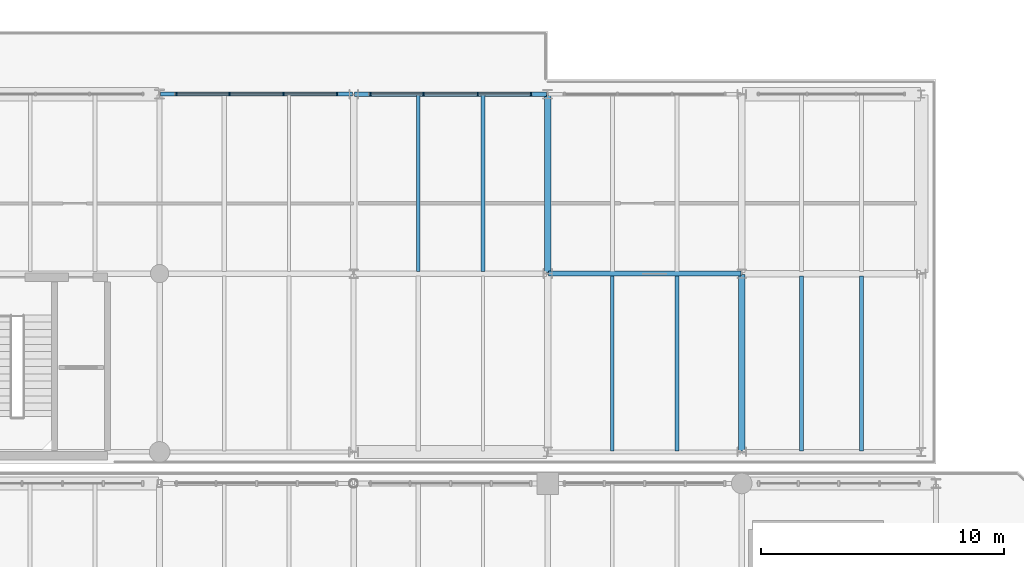
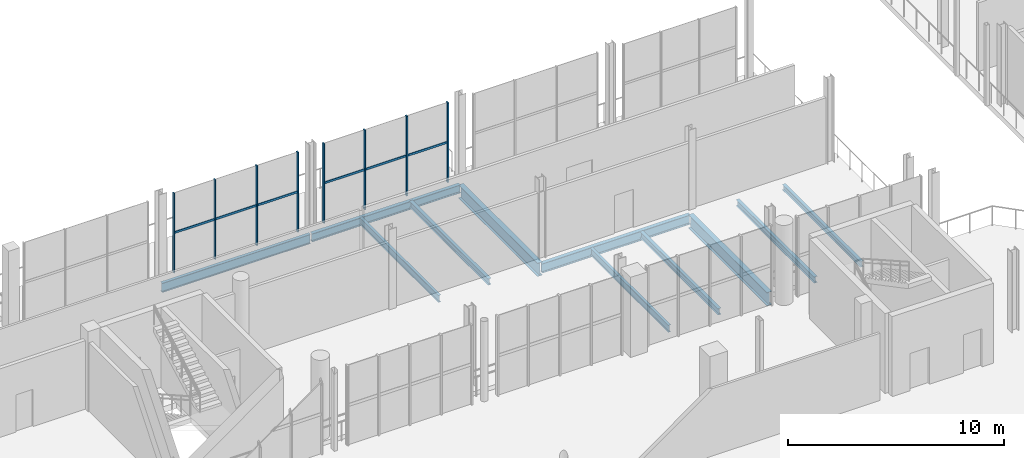
# One storey, part 50 of 93: 14 members, 11 beams, 2 elements without a shape of their own.
"""IFC4 building model written with IfcOpenShell, lengths in metres."""

from ifc_helpers import new_model, si_unit, direction, frame, origin, origin_2d, place, context, subcontext, project, spatial, rectangle, i_section, extrude, material, material_profile, profile_set, type_object, element, aggregate, save


model = new_model("IFC4")

# Units and contexts
model_context = context("Model", 3, precision=1e-05, world=origin(), true_north=direction((0.0, 1.0)))
body_context = subcontext(model_context, "Body", "Model", "MODEL_VIEW")
ifc_project = project(units=[si_unit("LENGTHUNIT", "METRE"), si_unit("AREAUNIT", "SQUARE_METRE"), si_unit("VOLUMEUNIT", "CUBIC_METRE"), si_unit("PLANEANGLEUNIT", "RADIAN"), si_unit("MASSUNIT", "GRAM", prefix="KILO")], contexts=[model_context])

# Site, building, storey
site_placement = place(None, origin())
site = spatial("IfcSite", under=ifc_project, at=site_placement, CompositionType="ELEMENT")
building_placement = place(site_placement, origin())
building = spatial("IfcBuilding", under=site, at=building_placement, Name="Brisemont Oceanarium", CompositionType="ELEMENT")
storey_placement = place(building_placement, frame((0.0, 0.0, 5.39990234375)))
storey = spatial("IfcBuildingStorey", under=building, at=storey_placement, Name="L01", CompositionType="ELEMENT", Elevation=5.39990234375)

# Beams
ifc_material_1 = material(Name="Structural Steel ASTM A992 Gr.50", Category="steel")
ifc_material_profile_1 = material_profile(ifc_material_1, i_section(OverallWidth=0.1650390625, OverallDepth=0.31005859375, WebThickness=0.005859375, FlangeThickness=0.009765625, FilletRadius=0.008056640625, at=origin_2d()), Name="W12X26")
ifc_profile_set_1 = profile_set([ifc_material_profile_1], Name="Structural Steel ASTM A992 Gr.50")
beam_type_1 = type_object("IfcBeamType", Name="BM-W12X26", PredefinedType="JOIST", material=ifc_profile_set_1)
beam_1_placement = place(storey_placement, frame((100.933349609375, 80.68994140625, -0.494873046875), z_axis=(0.0, 1.0, 0.0), x_axis=(-1.0, 0.0, 0.0)))
element("IfcBeam", 1, at=beam_1_placement, inside=storey, type_object=beam_type_1, Name="V7E L01 secondary floor beam", PredefinedType="JOIST", context=body_context, shape_type="SweptSolid", body=[
    extrude(i_section(OverallWidth=0.1650390625, OverallDepth=0.31005859375, WebThickness=0.005859375, FlangeThickness=0.009765625, FilletRadius=0.008056640625, at=origin_2d()), origin(), (0.0, 0.0, 1.0), 7.219970703125),
])
ifc_material_2 = material(Name="Structural Steel ASTM A992 Gr.50", Category="steel")
ifc_material_profile_2 = material_profile(ifc_material_2, i_section(OverallWidth=0.1708984375, OverallDepth=0.35107421875, WebThickness=0.0068359375, FlangeThickness=0.009765625, FilletRadius=0.010009765625, at=origin_2d()), Name="W14X30")
ifc_profile_set_2 = profile_set([ifc_material_profile_2], Name="Structural Steel ASTM A992 Gr.50")
beam_type_2 = type_object("IfcBeamType", Name="BM-W14X30", PredefinedType="JOIST", material=ifc_profile_set_2)
beam_2_placement = place(storey_placement, frame((85.333251953125, 88.090087890625, -0.515380859375), z_axis=(0.0, 1.0, 0.0), x_axis=(-1.0, 0.0, 0.0)))
element("IfcBeam", 2, at=beam_2_placement, inside=storey, type_object=beam_type_2, Name="V7E L01 secondary floor beam", PredefinedType="JOIST", context=body_context, shape_type="SweptSolid", body=[
    extrude(i_section(OverallWidth=0.1708984375, OverallDepth=0.35107421875, WebThickness=0.0068359375, FlangeThickness=0.009765625, FilletRadius=0.010009765625, at=origin_2d()), origin(), (0.0, 0.0, 1.0), 7.27001953125),
])
for number, where, z_axis, x_axis, name in (
    (3, (93.333251953125, 80.68994140625, -0.515380859375), (0.0, 1.0, 0.0), (-1.0, 0.0, 0.0), "V7E L01 secondary floor beam"),
    (4, (98.466796875, 80.68994140625, -0.515380859375), (0.0, 1.0, 0.0), (-1.0, 0.0, 0.0), "V7E L01 secondary floor beam"),
):
    element("IfcBeam", number, at=place(storey_placement, frame(where, z_axis=z_axis, x_axis=x_axis)), inside=storey, type_object=beam_type_2, Name=name, PredefinedType="JOIST", context=body_context, shape_type="SweptSolid", body=[
        extrude(i_section(OverallWidth=0.1708984375, OverallDepth=0.35107421875, WebThickness=0.0068359375, FlangeThickness=0.009765625, FilletRadius=0.010009765625, at=origin_2d()), origin(), (0.0, 0.0, 1.0), 7.219970703125),
    ])
ifc_material_3 = material(Name="Structural Steel ASTM A992 Gr.50", Category="steel")
ifc_material_profile_3 = material_profile(ifc_material_3, i_section(OverallWidth=0.139892578125, OverallDepth=0.39892578125, WebThickness=0.00634765625, FlangeThickness=0.0087890625, FilletRadius=0.010009765625, at=origin_2d()), Name="W16X26")
ifc_profile_set_3 = profile_set([ifc_material_profile_3], Name="Structural Steel ASTM A992 Gr.50")
beam_type_3 = type_object("IfcBeamType", Name="BM-W16X26", PredefinedType="JOIST", material=ifc_profile_set_3)
beam_3_placement = place(storey_placement, frame((82.666748046875, 88.090087890625, -0.539306640625), z_axis=(0.0, 1.0, 0.0), x_axis=(-1.0, 0.0, 0.0)))
element("IfcBeam", 5, at=beam_3_placement, inside=storey, type_object=beam_type_3, Name="V7E L01 secondary floor beam", PredefinedType="JOIST", context=body_context, shape_type="SweptSolid", body=[
    extrude(i_section(OverallWidth=0.139892578125, OverallDepth=0.39892578125, WebThickness=0.00634765625, FlangeThickness=0.0087890625, FilletRadius=0.010009765625, at=origin_2d()), origin(), (0.0, 0.0, 1.0), 7.27001953125),
])
beam_4_placement = place(storey_placement, frame((90.666748046875, 80.68994140625, -0.539306640625), z_axis=(0.0, 1.0, 0.0), x_axis=(-1.0, 0.0, 0.0)))
element("IfcBeam", 6, at=beam_4_placement, inside=storey, type_object=beam_type_3, Name="V7E L01 secondary floor beam", PredefinedType="JOIST", context=body_context, shape_type="SweptSolid", body=[
    extrude(i_section(OverallWidth=0.139892578125, OverallDepth=0.39892578125, WebThickness=0.00634765625, FlangeThickness=0.0087890625, FilletRadius=0.010009765625, at=origin_2d()), origin(), (0.0, 0.0, 1.0), 7.219970703125),
])
ifc_material_4 = material(Name="Structural Steel ASTM A992 Gr.50", Category="steel")
ifc_material_profile_4 = material_profile(ifc_material_4, i_section(OverallWidth=0.19091796875, OverallDepth=0.4599609375, WebThickness=0.010009765625, FlangeThickness=0.01611328125, FilletRadius=0.010986328125, at=origin_2d()), Name="W18X55")
ifc_profile_set_4 = profile_set([ifc_material_profile_4], Name="Structural Steel ASTM A992 Gr.50")
beam_type_4 = type_object("IfcBeamType", Name="BM-W18X55", PredefinedType="SPANDREL", material=ifc_profile_set_4)
beam_5_placement = place(storey_placement, frame((80.0400390625, 95.39990234375, -0.56982421875), z_axis=(1.0, 0.0, 0.0), x_axis=(0.0, 1.0, 0.0)))
element("IfcBeam", 7, at=beam_5_placement, inside=storey, type_object=beam_type_4, Name="V7E L01 EW girder", PredefinedType="SPANDREL", context=body_context, shape_type="SweptSolid", body=[
    extrude(i_section(OverallWidth=0.19091796875, OverallDepth=0.4599609375, WebThickness=0.010009765625, FlangeThickness=0.01611328125, FilletRadius=0.010986328125, at=origin_2d()), origin(), (0.0, 0.0, 1.0), 7.919921875),
])
ifc_material_5 = material(Name="Structural Steel ASTM A992 Gr.50", Category="steel")
ifc_material_profile_5 = material_profile(ifc_material_5, i_section(OverallWidth=0.166015625, OverallDepth=0.528076171875, WebThickness=0.009765625, FlangeThickness=0.013671875, FilletRadius=0.012939453125, at=origin_2d()), Name="W21X50")
ifc_profile_set_5 = profile_set([ifc_material_profile_5], Name="Structural Steel ASTM A992 Gr.50")
beam_type_5 = type_object("IfcBeamType", Name="BM-W21X50", PredefinedType="SPANDREL", material=ifc_profile_set_5)
beam_6_placement = place(storey_placement, frame((72.0400390625, 95.39990234375, -0.60400390625), z_axis=(1.0, 0.0, 0.0), x_axis=(0.0, 1.0, 0.0)))
element("IfcBeam", 8, at=beam_6_placement, inside=storey, type_object=beam_type_5, Name="V7E L01 EW girder", PredefinedType="SPANDREL", context=body_context, shape_type="SweptSolid", body=[
    extrude(i_section(OverallWidth=0.166015625, OverallDepth=0.528076171875, WebThickness=0.009765625, FlangeThickness=0.013671875, FilletRadius=0.012939453125, at=origin_2d()), origin(), (0.0, 0.0, 1.0), 7.919921875),
])
ifc_material_6 = material(Name="Structural Steel ASTM A992 Gr.50", Category="steel")
ifc_material_profile_6 = material_profile(ifc_material_6, i_section(OverallWidth=0.2099609375, OverallDepth=0.532958984375, WebThickness=0.01025390625, FlangeThickness=0.015625, FilletRadius=0.012939453125, at=origin_2d()), Name="W21X62")
ifc_profile_set_6 = profile_set([ifc_material_profile_6], Name="Structural Steel ASTM A992 Gr.50")
beam_type_6 = type_object("IfcBeamType", Name="BM-W21X62", PredefinedType="BEAM", material=ifc_profile_set_6)
beam_7_placement = place(storey_placement, frame((88.0400390625, 88.0, -0.6064453125), z_axis=(1.0, 0.0, 0.0), x_axis=(0.0, 1.0, 0.0)))
element("IfcBeam", 9, at=beam_7_placement, inside=storey, type_object=beam_type_6, Name="V7E L01 EW girder", PredefinedType="BEAM", context=body_context, shape_type="SweptSolid", body=[
    extrude(i_section(OverallWidth=0.2099609375, OverallDepth=0.532958984375, WebThickness=0.01025390625, FlangeThickness=0.015625, FilletRadius=0.012939453125, at=origin_2d()), origin(), (0.0, 0.0, 1.0), 7.919921875),
])
ifc_material_7 = material(Name="Structural Steel ASTM A992 Gr.50", Category="steel")
ifc_material_profile_7 = material_profile(ifc_material_7, i_section(OverallWidth=0.264892578125, OverallDepth=0.7529296875, WebThickness=0.01318359375, FlangeThickness=0.01708984375, FilletRadius=0.01611328125, at=origin_2d()), Name="W30X99")
ifc_profile_set_7 = profile_set([ifc_material_profile_7], Name="Structural Steel ASTM A992 Gr.50")
beam_type_7 = type_object("IfcBeamType", Name="BM-W30X99", PredefinedType="BEAM", material=ifc_profile_set_7)
beam_8_placement = place(storey_placement, frame((88.0, 88.0400390625, -0.71630859375), z_axis=(0.0, 1.0, 0.0), x_axis=(-1.0, 0.0, 0.0)))
element("IfcBeam", 10, at=beam_8_placement, inside=storey, type_object=beam_type_7, Name="V7E L01 NS girder", PredefinedType="BEAM", context=body_context, shape_type="SweptSolid", body=[
    extrude(i_section(OverallWidth=0.264892578125, OverallDepth=0.7529296875, WebThickness=0.01318359375, FlangeThickness=0.01708984375, FilletRadius=0.01611328125, at=origin_2d()), origin(), (0.0, 0.0, 1.0), 7.320068359375),
])
beam_9_placement = place(storey_placement, frame((96.0, 80.68994140625, -0.71630859375), z_axis=(0.0, 1.0, 0.0), x_axis=(-1.0, 0.0, 0.0)))
element("IfcBeam", 11, at=beam_9_placement, inside=storey, type_object=beam_type_7, Name="V7E L01 NS girder", PredefinedType="BEAM", context=body_context, shape_type="SweptSolid", body=[
    extrude(i_section(OverallWidth=0.264892578125, OverallDepth=0.7529296875, WebThickness=0.01318359375, FlangeThickness=0.01708984375, FilletRadius=0.01611328125, at=origin_2d()), origin(), (0.0, 0.0, 1.0), 7.27001953125),
])

# Curtain wall, members
ifc_material_8 = material(Name="Anodized Extruded Aluminum 6063-T6", Category="aluminium")
curtain_wall_type = type_object("IfcCurtainWallType", Name="CW-CLR-48X34", PredefinedType="NOTDEFINED", material=ifc_material_8)
curtain_wall_1_placement = place(storey_placement, origin())
curtain_wall_1 = element("IfcCurtainWall", 12, at=curtain_wall_1_placement, inside=storey, type_object=curtain_wall_type, Name="CW-22 curtain wall CW-V7E-N-L01-03", PredefinedType="NOTDEFINED")
ifc_material_9 = material(Name="Anodized Extruded Aluminum 6063-T6", Category="aluminium")
ifc_material_profile_8 = material_profile(ifc_material_9, rectangle(XDim=0.06005859375, YDim=0.14990234375, at=origin_2d()), Name="CWM-60X150")
ifc_profile_set_8 = profile_set([ifc_material_profile_8], Name="Anodized Extruded Aluminum 6063-T6")
member_type_1 = type_object("IfcMemberType", Name="MEM-CWM-60", PredefinedType="MULLION", material=ifc_profile_set_8)
member_1_placement = place(storey_placement, frame((72.695068359375, 95.39990234375, 0.0), z_axis=(0.0, 0.0, 1.0), x_axis=(1.0, 0.0, 0.0)))
member_1 = element("IfcMember", 13, at=member_1_placement, type_object=member_type_1, Name="CW-V7E-N-L01-03 mullion 1", PredefinedType="MULLION", context=body_context, shape_type="SweptSolid", body=[
    extrude(rectangle(XDim=0.06005859375, YDim=0.14990234375, at=origin_2d()), origin(), (0.0, 0.0, 1.0), 4.5),
])
member_2_placement = place(storey_placement, frame((74.88330078125, 95.39990234375, 0.0), z_axis=(0.0, 0.0, 1.0), x_axis=(1.0, 0.0, 0.0)))
member_2 = element("IfcMember", 14, at=member_2_placement, type_object=member_type_1, Name="CW-V7E-N-L01-03 mullion 2", PredefinedType="MULLION", context=body_context, shape_type="SweptSolid", body=[
    extrude(rectangle(XDim=0.06005859375, YDim=0.14990234375, at=origin_2d()), origin(), (0.0, 0.0, 1.0), 4.5),
])
member_3_placement = place(storey_placement, frame((77.11669921875, 95.39990234375, 0.0), z_axis=(0.0, 0.0, 1.0), x_axis=(1.0, 0.0, 0.0)))
member_3 = element("IfcMember", 15, at=member_3_placement, type_object=member_type_1, Name="CW-V7E-N-L01-03 mullion 3", PredefinedType="MULLION", context=body_context, shape_type="SweptSolid", body=[
    extrude(rectangle(XDim=0.06005859375, YDim=0.14990234375, at=origin_2d()), origin(), (0.0, 0.0, 1.0), 4.5),
])
member_4_placement = place(storey_placement, frame((79.304931640625, 95.39990234375, 0.0), z_axis=(0.0, 0.0, 1.0), x_axis=(1.0, 0.0, 0.0)))
member_4 = element("IfcMember", 16, at=member_4_placement, type_object=member_type_1, Name="CW-V7E-N-L01-03 mullion 4", PredefinedType="MULLION", context=body_context, shape_type="SweptSolid", body=[
    extrude(rectangle(XDim=0.06005859375, YDim=0.14990234375, at=origin_2d()), origin(), (0.0, 0.0, 1.0), 4.5),
])

curtain_wall_2_placement = place(storey_placement, origin())
curtain_wall_2 = element("IfcCurtainWall", 17, at=curtain_wall_2_placement, inside=storey, type_object=curtain_wall_type, Name="CW-22 curtain wall CW-V7E-N-L01-04", PredefinedType="NOTDEFINED")
member_5_placement = place(storey_placement, frame((80.695068359375, 95.39990234375, 0.0), z_axis=(0.0, 0.0, 1.0), x_axis=(1.0, 0.0, 0.0)))
member_5 = element("IfcMember", 18, at=member_5_placement, type_object=member_type_1, Name="CW-V7E-N-L01-04 mullion 1", PredefinedType="MULLION", context=body_context, shape_type="SweptSolid", body=[
    extrude(rectangle(XDim=0.06005859375, YDim=0.14990234375, at=origin_2d()), origin(), (0.0, 0.0, 1.0), 4.5),
])
member_6_placement = place(storey_placement, frame((82.88330078125, 95.39990234375, 0.0), z_axis=(0.0, 0.0, 1.0), x_axis=(1.0, 0.0, 0.0)))
member_6 = element("IfcMember", 19, at=member_6_placement, type_object=member_type_1, Name="CW-V7E-N-L01-04 mullion 2", PredefinedType="MULLION", context=body_context, shape_type="SweptSolid", body=[
    extrude(rectangle(XDim=0.06005859375, YDim=0.14990234375, at=origin_2d()), origin(), (0.0, 0.0, 1.0), 4.5),
])
member_7_placement = place(storey_placement, frame((85.11669921875, 95.39990234375, 0.0), z_axis=(0.0, 0.0, 1.0), x_axis=(1.0, 0.0, 0.0)))
member_7 = element("IfcMember", 20, at=member_7_placement, type_object=member_type_1, Name="CW-V7E-N-L01-04 mullion 3", PredefinedType="MULLION", context=body_context, shape_type="SweptSolid", body=[
    extrude(rectangle(XDim=0.06005859375, YDim=0.14990234375, at=origin_2d()), origin(), (0.0, 0.0, 1.0), 4.5),
])
member_8_placement = place(storey_placement, frame((87.304931640625, 95.39990234375, 0.0), z_axis=(0.0, 0.0, 1.0), x_axis=(1.0, 0.0, 0.0)))
member_8 = element("IfcMember", 21, at=member_8_placement, type_object=member_type_1, Name="CW-V7E-N-L01-04 mullion 4", PredefinedType="MULLION", context=body_context, shape_type="SweptSolid", body=[
    extrude(rectangle(XDim=0.06005859375, YDim=0.14990234375, at=origin_2d()), origin(), (0.0, 0.0, 1.0), 4.5),
])

# Member
ifc_material_10 = material(Name="Anodized Extruded Aluminum 6063-T6", Category="aluminium")
ifc_material_profile_9 = material_profile(ifc_material_10, rectangle(XDim=0.06005859375, YDim=0.1201171875, at=origin_2d()), Name="CWT-60X120")
ifc_profile_set_9 = profile_set([ifc_material_profile_9], Name="Anodized Extruded Aluminum 6063-T6")
member_type_2 = type_object("IfcMemberType", Name="MEM-CWT-60", PredefinedType="USERDEFINED", material=ifc_profile_set_9)
member_9_placement = place(storey_placement, frame((72.6650390625, 95.39990234375, 2.25), z_axis=(1.0, 0.0, 0.0), x_axis=(0.0, 1.0, 0.0)))
member_9 = element("IfcMember", 22, at=member_9_placement, type_object=member_type_2, Name="CW-V7E-N-L01-03 transom 1.1", ObjectType="TRANSOM", PredefinedType="USERDEFINED", context=body_context, shape_type="SweptSolid", body=[
    extrude(rectangle(XDim=0.06005859375, YDim=0.1201171875, at=origin_2d()), origin(), (0.0, 0.0, 1.0), 2.203369140625),
])

member_10_placement = place(storey_placement, frame((74.898193359375, 95.39990234375, 2.25), z_axis=(1.0, 0.0, 0.0), x_axis=(0.0, 1.0, 0.0)))
member_10 = element("IfcMember", 23, at=member_10_placement, type_object=member_type_2, Name="CW-V7E-N-L01-03 transom 2.1", ObjectType="TRANSOM", PredefinedType="USERDEFINED", context=body_context, shape_type="SweptSolid", body=[
    extrude(rectangle(XDim=0.06005859375, YDim=0.1201171875, at=origin_2d()), origin(), (0.0, 0.0, 1.0), 2.20361328125),
])

member_11_placement = place(storey_placement, frame((77.131591796875, 95.39990234375, 2.25), z_axis=(1.0, 0.0, 0.0), x_axis=(0.0, 1.0, 0.0)))
member_11 = element("IfcMember", 24, at=member_11_placement, type_object=member_type_2, Name="CW-V7E-N-L01-03 transom 3.1", ObjectType="TRANSOM", PredefinedType="USERDEFINED", context=body_context, shape_type="SweptSolid", body=[
    extrude(rectangle(XDim=0.06005859375, YDim=0.1201171875, at=origin_2d()), origin(), (0.0, 0.0, 1.0), 2.203369140625),
])

aggregate(curtain_wall_1, [member_1, member_2, member_3, member_4, member_9, member_10, member_11])

member_12_placement = place(storey_placement, frame((80.6650390625, 95.39990234375, 2.25), z_axis=(1.0, 0.0, 0.0), x_axis=(0.0, 1.0, 0.0)))
member_12 = element("IfcMember", 25, at=member_12_placement, type_object=member_type_2, Name="CW-V7E-N-L01-04 transom 1.1", ObjectType="TRANSOM", PredefinedType="USERDEFINED", context=body_context, shape_type="SweptSolid", body=[
    extrude(rectangle(XDim=0.06005859375, YDim=0.1201171875, at=origin_2d()), origin(), (0.0, 0.0, 1.0), 2.203369140625),
])

member_13_placement = place(storey_placement, frame((82.898193359375, 95.39990234375, 2.25), z_axis=(1.0, 0.0, 0.0), x_axis=(0.0, 1.0, 0.0)))
member_13 = element("IfcMember", 26, at=member_13_placement, type_object=member_type_2, Name="CW-V7E-N-L01-04 transom 2.1", ObjectType="TRANSOM", PredefinedType="USERDEFINED", context=body_context, shape_type="SweptSolid", body=[
    extrude(rectangle(XDim=0.06005859375, YDim=0.1201171875, at=origin_2d()), origin(), (0.0, 0.0, 1.0), 2.20361328125),
])

member_14_placement = place(storey_placement, frame((85.131591796875, 95.39990234375, 2.25), z_axis=(1.0, 0.0, 0.0), x_axis=(0.0, 1.0, 0.0)))
member_14 = element("IfcMember", 27, at=member_14_placement, type_object=member_type_2, Name="CW-V7E-N-L01-04 transom 3.1", ObjectType="TRANSOM", PredefinedType="USERDEFINED", context=body_context, shape_type="SweptSolid", body=[
    extrude(rectangle(XDim=0.06005859375, YDim=0.1201171875, at=origin_2d()), origin(), (0.0, 0.0, 1.0), 2.203369140625),
])

aggregate(curtain_wall_2, [member_5, member_6, member_7, member_8, member_12, member_13, member_14])

save(model, "model.ifc")
